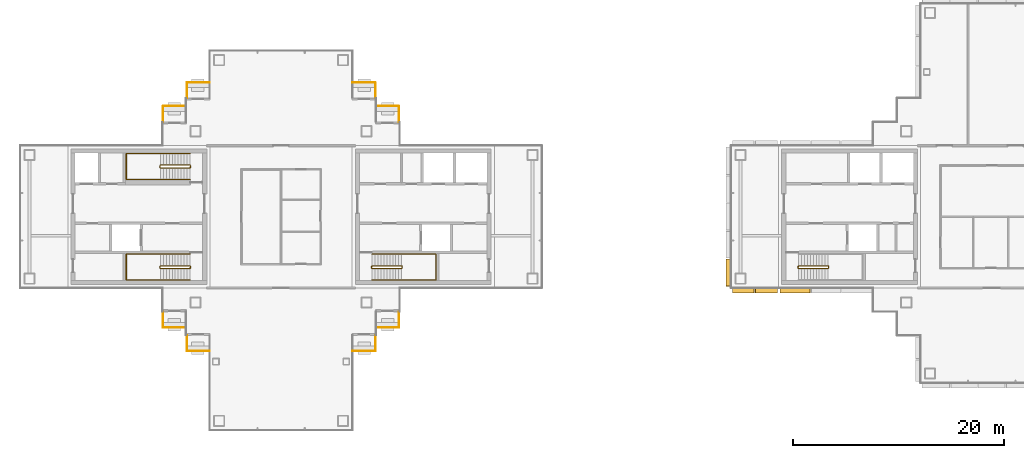
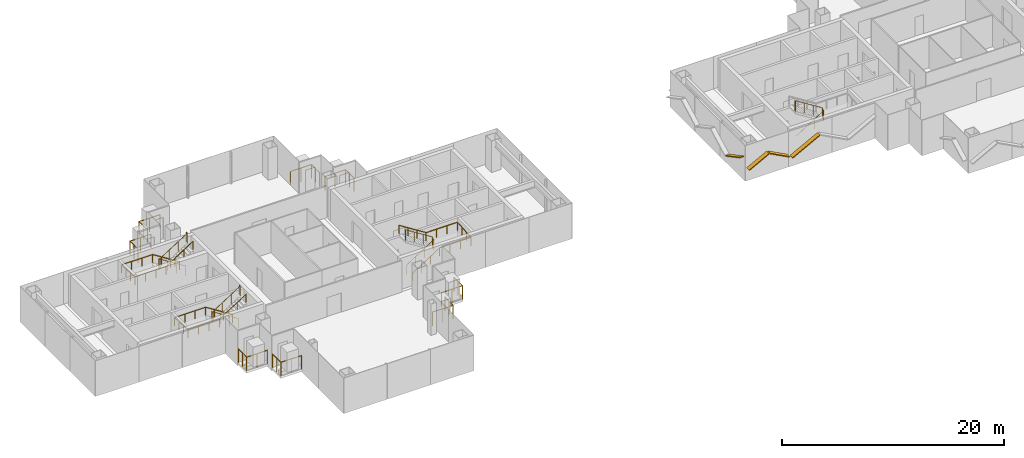
# One storey, part 14 of 17: 15 railings, 4 shading devices.
"""IFC4 building model written with IfcOpenShell, lengths in metres."""

import ifcopenshell
import ifcopenshell.guid

model = None  # the IFC model being written
_history = None  # IfcOwnerHistory: only IFC2X3 demands one
_inside = {}  # id of a spatial element -> (the spatial element, [elements in it])
_under = {}  # id of a project, library or spatial element -> (it, [spatial elements below it])
_declared = {}  # id of a project -> (the project, [libraries it declares])
_typed = {}  # id of a type object -> (the type object, [elements of that type])
_made_of = {}  # id of a material, layer set ... -> (it, [elements and type objects made of it])


def new_model(schema):
    """Start an empty IFC model of exactly this schema.

    Asked for "IFC4X3", IfcOpenShell would pick the latest addendum, in which some entities
    have other attributes; the version numbers below select the first issue.
    IFC2X3 requires an IfcOwnerHistory on every rooted entity: one is made here for all.
    """
    global model, _history
    if schema == "IFC4X3":
        model = ifcopenshell.file(schema_version=(4, 3, 0, 0))
    else:
        model = ifcopenshell.file(schema=schema)
    _inside.clear()
    _under.clear()
    _declared.clear()
    _typed.clear()
    _made_of.clear()
    _history = None
    if model.schema == "IFC2X3":
        org = make("IfcOrganization", Name="unknown")
        user = make(
            "IfcPersonAndOrganization",
            ThePerson=make("IfcPerson", FamilyName="unknown"),
            TheOrganization=org,
        )
        app = make(
            "IfcApplication",
            ApplicationDeveloper=org,
            Version="unknown",
            ApplicationFullName="unknown",
            ApplicationIdentifier="unknown",
        )
        _history = make(
            "IfcOwnerHistory",
            OwningUser=user,
            OwningApplication=app,
            ChangeAction="ADDED",
            CreationDate=0,
        )
    return model


def make(cls, **values):
    """One entity of the class cls with the attributes given. An attribute that is None is left unset."""
    return model.create_entity(
        cls, **{name: value for name, value in values.items() if value is not None}
    )


def rooted(cls, **values):
    """An entity with a GlobalId (a new one), such as an element, a storey or a relation."""
    return make(cls, GlobalId=ifcopenshell.guid.new(), OwnerHistory=_history, **values)


def si_unit(unit_type, name, prefix=None):
    """IfcSIUnit, for example si_unit("LENGTHUNIT", "METRE", prefix="MILLI")."""
    return make("IfcSIUnit", UnitType=unit_type, Prefix=prefix, Name=name)


def assignment(units):
    """IfcUnitAssignment: the units of a project."""
    return None if units is None else make("IfcUnitAssignment", Units=units)


def point(xyz):
    """IfcCartesianPoint."""
    return None if xyz is None else make("IfcCartesianPoint", Coordinates=xyz)


def direction(xyz):
    """IfcDirection."""
    return None if xyz is None else make("IfcDirection", DirectionRatios=xyz)


def frame(location, z_axis=None, x_axis=None):
    """IfcAxis2Placement3D, a coordinate frame: its origin and axes. An axis left out is left unset."""
    return make(
        "IfcAxis2Placement3D",
        Location=point(location),
        Axis=direction(z_axis),
        RefDirection=direction(x_axis),
    )


def frame_2d(location, x_axis=None):
    """IfcAxis2Placement2D, a coordinate frame in the plane: its origin and x axis."""
    return make(
        "IfcAxis2Placement2D", Location=point(location), RefDirection=direction(x_axis)
    )


def origin():
    """The frame at (0, 0, 0) with its axes left unset."""
    return frame((0.0, 0.0, 0.0))


def origin_2d():
    """The frame at (0, 0) in the plane with its x axis left unset."""
    return frame_2d((0.0, 0.0))


def place(relative_to, where):
    """IfcLocalPlacement: puts the frame where relative to a parent placement (None: the world)."""
    return make(
        "IfcLocalPlacement", PlacementRelTo=relative_to, RelativePlacement=where
    )


def context(
    kind, dimensions, precision=None, world=None, true_north=None, identifier=None
):
    """IfcGeometricRepresentationContext, for example the 3D "Model" context."""
    return make(
        "IfcGeometricRepresentationContext",
        ContextIdentifier=identifier,
        ContextType=kind,
        CoordinateSpaceDimension=dimensions,
        Precision=precision,
        WorldCoordinateSystem=world,
        TrueNorth=true_north,
    )


def subcontext(parent, identifier, kind, view, scale=None):
    """IfcGeometricRepresentationSubContext, for example "Body" below "Model"."""
    return make(
        "IfcGeometricRepresentationSubContext",
        ContextIdentifier=identifier,
        ContextType=kind,
        ParentContext=parent,
        TargetScale=scale,
        TargetView=view,
    )


def project(units=None, contexts=None):
    """IfcProject with its units and contexts."""
    return rooted(
        "IfcProject",
        Name="project",
        RepresentationContexts=contexts,
        UnitsInContext=assignment(units),
    )


def spatial(cls, under=None, at=None, **own):
    """A site, building, storey or space (cls), placed at a placement, below another one or the project."""
    s = rooted(cls, ObjectPlacement=at, **own)
    if under is not None:
        _under.setdefault(under.id(), (under, []))[1].append(s)
    return s


def profile(cls, at=None, kind="AREA", **sizes):
    """A parametric profile (cls). Its sizes go by their IFC names, for example OverallWidth=200.0."""
    return make(cls, ProfileType=kind, Position=at, **sizes)


def rectangle(**sizes):
    """IfcRectangleProfileDef."""
    return profile("IfcRectangleProfileDef", **sizes)


def circle(**sizes):
    """IfcCircleProfileDef."""
    return profile("IfcCircleProfileDef", **sizes)


def extrude(swept, where, along, depth):
    """IfcExtrudedAreaSolid: the profile swept, set in the frame where, extruded along a direction by depth."""
    return make(
        "IfcExtrudedAreaSolid",
        SweptArea=swept,
        Position=where,
        ExtrudedDirection=direction(along),
        Depth=depth,
    )


def shape(context_of_items, identifier, shape_type, items):
    """IfcShapeRepresentation: the items that make up one representation, for example the "Body"."""
    return make(
        "IfcShapeRepresentation",
        ContextOfItems=context_of_items,
        RepresentationIdentifier=identifier,
        RepresentationType=shape_type,
        Items=items,
    )


def material(Name=None, Category=None):
    """IfcMaterial."""
    return make("IfcMaterial", Name=Name, Category=Category)


def material_profile(
    of_material, cross_section, Name=None, Category=None, Priority=None
):
    """IfcMaterialProfile: a cross section and its material."""
    return make(
        "IfcMaterialProfile",
        Name=Name,
        Material=of_material,
        Profile=cross_section,
        Priority=Priority,
        Category=Category,
    )


def profile_set(profiles, Name=None, composite=None):
    """IfcMaterialProfileSet."""
    return make(
        "IfcMaterialProfileSet",
        Name=Name,
        MaterialProfiles=profiles,
        CompositeProfile=composite,
    )


def made_of(thing, what):
    """Note that an element or type object is made of a material, layer set ...; save() writes the relation."""
    if what is not None:
        _made_of.setdefault(what.id(), (what, []))[1].append(thing)
    return thing


def type_object(cls, material=None, **own):
    """A type object (cls), such as IfcWallType, which elements share."""
    return made_of(rooted(cls, **own), material)


def element(
    cls,
    number,
    at=None,
    inside=None,
    cuts=None,
    type_object=None,
    material=None,
    context=None,
    identifier="Body",
    shape_type=None,
    held_by="IfcProductDefinitionShape",
    body=None,
    shapes=None,
    **own,
):
    """One element of the class cls, such as IfcWall. Its Tag is "e" and its number.

    at: its placement. inside: the storey or other place that contains it. cuts: it is an
    opening in that element (IfcRelVoidsElement). A single representation is given by context,
    identifier, shape_type and body (its items); several are given by shapes. held_by: the class
    of the entity that holds the representations. save() writes the other relations.
    """
    e = rooted(cls, Tag="e%d" % number, ObjectPlacement=at, **own)
    if body is not None:
        shapes = [shape(context, identifier, shape_type, body)]
    if shapes is not None:
        e.Representation = make(held_by, Representations=shapes)
    if inside is not None:
        _inside.setdefault(inside.id(), (inside, []))[1].append(e)
    if cuts is not None:
        rooted(
            "IfcRelVoidsElement", RelatingBuildingElement=cuts, RelatedOpeningElement=e
        )
    if type_object is not None:
        _typed.setdefault(type_object.id(), (type_object, []))[1].append(e)
    return made_of(e, material)


def aggregate(whole, parts):
    """IfcRelAggregates: a whole, such as a stair, and the parts it consists of."""
    return rooted("IfcRelAggregates", RelatingObject=whole, RelatedObjects=parts)


def save(model, path):
    """Write the relations noted so far, then the file.

    IfcRelAggregates (storeys below a building ...), IfcRelContainedInSpatialStructure (elements
    in a storey), IfcRelDefinesByType, IfcRelAssociatesMaterial and IfcRelDeclares: one each for
    every whole, place, type object, material and project.
    """
    for whole, parts in _under.values():
        aggregate(whole, parts)
    for where, things in _inside.values():
        rooted(
            "IfcRelContainedInSpatialStructure",
            RelatedElements=things,
            RelatingStructure=where,
        )
    for kind, things in _typed.values():
        rooted("IfcRelDefinesByType", RelatedObjects=things, RelatingType=kind)
    for what, things in _made_of.values():
        rooted("IfcRelAssociatesMaterial", RelatedObjects=things, RelatingMaterial=what)
    for by, libraries in _declared.values():
        rooted("IfcRelDeclares", RelatingContext=by, RelatedDefinitions=libraries)
    model.write(path)


model = new_model("IFC4")

# Units and contexts
model_context = context("Model", 3, precision=1e-05, world=origin(), true_north=direction((0.0, 1.0)))
body_context = subcontext(model_context, "Body", "Model", "MODEL_VIEW")
ifc_project = project(units=[si_unit("LENGTHUNIT", "METRE"), si_unit("AREAUNIT", "SQUARE_METRE"), si_unit("VOLUMEUNIT", "CUBIC_METRE"), si_unit("PLANEANGLEUNIT", "RADIAN"), si_unit("MASSUNIT", "GRAM", prefix="KILO")], contexts=[model_context])

# Site, building, storey
site_placement = place(None, origin())
site = spatial("IfcSite", under=ifc_project, at=site_placement, CompositionType="ELEMENT")
building_placement = place(site_placement, origin())
building = spatial("IfcBuilding", under=site, at=building_placement, Name="Shamsa Quay Exchange Towers", CompositionType="ELEMENT")
storey_placement = place(building_placement, frame((0.0, 0.0, 221.699951171875)))
storey = spatial("IfcBuildingStorey", under=building, at=storey_placement, Name="L53", CompositionType="ELEMENT", Elevation=221.699951171875)

# Railings
ifc_material_1 = material(Name="Steel S355, black powder-coated", Category="steel")
railing_type_1 = type_object("IfcRailingType", Name="BALCONY GUARD 1500", PredefinedType="GUARDRAIL", material=ifc_material_1)
for number, where, name in (
    (1, (-22.550048828125, 9.02099609375, 0.0), "Balcony guard T1-PKEN L53"),
    (2, (-24.800048828125, 11.27099609375, 0.0), "Balcony guard T1-PKEN L53"),
):
    element("IfcRailing", number, at=place(storey_placement, frame(where)), inside=storey, type_object=railing_type_1, Name=name, PredefinedType="GUARDRAIL", context=body_context, shape_type="SweptSolid", body=[
        extrude(circle(Radius=0.02392578125, at=origin_2d()), frame((0.0, 0.0, 1.47607421875), z_axis=(0.0, 1.0, 0.0), x_axis=(-1.0, 0.0, 0.0)), (0.0, 0.0, 1.0), 1.47900390625),
        extrude(circle(Radius=0.02392578125, at=origin_2d()), frame((0.0, 1.47900390625, 1.47607421875), z_axis=(-1.0, 0.0, 0.0), x_axis=(0.0, -1.0, 0.0)), (0.0, 0.0, 1.0), 2.161865234375),
        extrude(circle(Radius=0.02099609375, at=origin_2d()), origin(), (0.0, 0.0, 1.0), 1.451904296875),
        extrude(circle(Radius=0.02099609375, at=origin_2d()), frame((0.0, 0.739501953125, 0.0)), (0.0, 0.0, 1.0), 1.451904296875),
        extrude(circle(Radius=0.02099609375, at=origin_2d()), frame((0.0, 1.47900390625, 0.0)), (0.0, 0.0, 1.0), 1.451904296875),
        extrude(circle(Radius=0.02099609375, at=origin_2d()), frame((-1.0810546875, 1.47900390625, 0.0)), (0.0, 0.0, 1.0), 1.451904296875),
        extrude(circle(Radius=0.02099609375, at=origin_2d()), frame((-2.161865234375, 1.47900390625, 0.0)), (0.0, 0.0, 1.0), 1.451904296875),
    ])
for number, where, name in (
    (3, (-24.7119140625, -10.5, 0.0), "Balcony guard T1-PKES L53"),
    (4, (-26.9619140625, -12.75, 0.0), "Balcony guard T1-PKES L53"),
):
    element("IfcRailing", number, at=place(storey_placement, frame(where)), inside=storey, type_object=railing_type_1, Name=name, PredefinedType="GUARDRAIL", context=body_context, shape_type="SweptSolid", body=[
        extrude(circle(Radius=0.02392578125, at=origin_2d()), frame((0.0, 0.0, 1.47607421875), z_axis=(1.0, 0.0, 0.0), x_axis=(0.0, 1.0, 0.0)), (0.0, 0.0, 1.0), 2.161865234375),
        extrude(circle(Radius=0.02392578125, at=origin_2d()), frame((2.161865234375, 0.0, 1.47607421875), z_axis=(0.0, 1.0, 0.0), x_axis=(-1.0, 0.0, 0.0)), (0.0, 0.0, 1.0), 1.47900390625),
        extrude(circle(Radius=0.02099609375, at=origin_2d()), origin(), (0.0, 0.0, 1.0), 1.451904296875),
        extrude(circle(Radius=0.02099609375, at=origin_2d()), frame((1.0810546875, 0.0, 0.0)), (0.0, 0.0, 1.0), 1.451904296875),
        extrude(circle(Radius=0.02099609375, at=origin_2d()), frame((2.161865234375, 0.0, 0.0)), (0.0, 0.0, 1.0), 1.451904296875),
        extrude(circle(Radius=0.02099609375, at=origin_2d()), frame((2.161865234375, 0.739501953125, 0.0)), (0.0, 0.0, 1.0), 1.451904296875),
        extrude(circle(Radius=0.02099609375, at=origin_2d()), frame((2.161865234375, 1.47900390625, 0.0)), (0.0, 0.0, 1.0), 1.451904296875),
    ])
for number, where, name in (
    (5, (-40.5380859375, 12.75, 0.0), "Balcony guard T1-PKWN L53"),
    (6, (-42.7880859375, 10.5, 0.0), "Balcony guard T1-PKWN L53"),
):
    element("IfcRailing", number, at=place(storey_placement, frame(where)), inside=storey, type_object=railing_type_1, Name=name, PredefinedType="GUARDRAIL", context=body_context, shape_type="SweptSolid", body=[
        extrude(circle(Radius=0.02392578125, at=origin_2d()), frame((0.0, 0.0, 1.47607421875), z_axis=(-1.0, 0.0, 0.0), x_axis=(0.0, -1.0, 0.0)), (0.0, 0.0, 1.0), 2.161865234375),
        extrude(circle(Radius=0.02392578125, at=origin_2d()), frame((-2.161865234375, 0.0, 1.47607421875), z_axis=(0.0, -1.0, 0.0), x_axis=(1.0, 0.0, 0.0)), (0.0, 0.0, 1.0), 1.47900390625),
        extrude(circle(Radius=0.02099609375, at=origin_2d()), origin(), (0.0, 0.0, 1.0), 1.451904296875),
        extrude(circle(Radius=0.02099609375, at=origin_2d()), frame((-1.0810546875, 0.0, 0.0)), (0.0, 0.0, 1.0), 1.451904296875),
        extrude(circle(Radius=0.02099609375, at=origin_2d()), frame((-2.161865234375, 0.0, 0.0)), (0.0, 0.0, 1.0), 1.451904296875),
        extrude(circle(Radius=0.02099609375, at=origin_2d()), frame((-2.161865234375, -0.739501953125, 0.0)), (0.0, 0.0, 1.0), 1.451904296875),
        extrude(circle(Radius=0.02099609375, at=origin_2d()), frame((-2.161865234375, -1.47900390625, 0.0)), (0.0, 0.0, 1.0), 1.451904296875),
    ])
for number, where, name in (
    (7, (-44.949951171875, -9.02099609375, 0.0), "Balcony guard T1-PKWS L53"),
    (8, (-42.699951171875, -11.27099609375, 0.0), "Balcony guard T1-PKWS L53"),
):
    element("IfcRailing", number, at=place(storey_placement, frame(where)), inside=storey, type_object=railing_type_1, Name=name, PredefinedType="GUARDRAIL", context=body_context, shape_type="SweptSolid", body=[
        extrude(circle(Radius=0.02392578125, at=origin_2d()), frame((0.0, 0.0, 1.47607421875), z_axis=(0.0, -1.0, 0.0), x_axis=(1.0, 0.0, 0.0)), (0.0, 0.0, 1.0), 1.47900390625),
        extrude(circle(Radius=0.02392578125, at=origin_2d()), frame((0.0, -1.47900390625, 1.47607421875), z_axis=(1.0, 0.0, 0.0), x_axis=(0.0, 1.0, 0.0)), (0.0, 0.0, 1.0), 2.161865234375),
        extrude(circle(Radius=0.02099609375, at=origin_2d()), origin(), (0.0, 0.0, 1.0), 1.451904296875),
        extrude(circle(Radius=0.02099609375, at=origin_2d()), frame((0.0, -0.739501953125, 0.0)), (0.0, 0.0, 1.0), 1.451904296875),
        extrude(circle(Radius=0.02099609375, at=origin_2d()), frame((0.0, -1.47900390625, 0.0)), (0.0, 0.0, 1.0), 1.451904296875),
        extrude(circle(Radius=0.02099609375, at=origin_2d()), frame((1.0810546875, -1.47900390625, 0.0)), (0.0, 0.0, 1.0), 1.451904296875),
        extrude(circle(Radius=0.02099609375, at=origin_2d()), frame((2.161865234375, -1.47900390625, 0.0)), (0.0, 0.0, 1.0), 1.451904296875),
    ])

# Shading devices
ifc_material_2 = material(Name="Aluminium EN AW-6063 T6, black anodised", Category="aluminium")
ifc_material_profile = material_profile(ifc_material_2, rectangle(XDim=0.449951171875, YDim=0.10009765625, at=origin_2d()), Name="FIN450x100")
ifc_profile_set = profile_set([ifc_material_profile], Name="Aluminium EN AW-6063 T6, black anodised")
shading_device_type = type_object("IfcShadingDeviceType", Name="FIN 450x100 BLACK ALUMINIUM", PredefinedType="USERDEFINED", material=ifc_profile_set)
shading_device_1_placement = place(storey_placement, frame((8.735107421875, -4.010009765625, 0.911376953125), z_axis=(0.0, -0.882944327895, 0.469477703238), x_axis=(1.0, 0.0, 0.0)))
element("IfcShadingDevice", 9, at=shading_device_1_placement, inside=storey, type_object=shading_device_type, Name="FIN T2 chevron rib", ObjectType="FIN", PredefinedType="USERDEFINED", context=body_context, shape_type="SweptSolid", body=[
    extrude(rectangle(XDim=0.449951171875, YDim=0.10009765625, at=origin_2d()), origin(), (0.0, 0.0, 1.0), 2.933349609375),
])
for number, where, z_axis, x_axis, name in (
    (10, (9.14990234375, -7.014892578125, 1.054931640625), (0.882937310539, 0.0, 0.469490900507), (0.0, 1.0, 0.0), "FIN T2 chevron rib"),
    (11, (11.300048828125, -7.014892578125, 2.14501953125), (0.882937310539, 0.0, -0.469490900507), (0.0, 1.0, 0.0), "FIN T2 chevron rib"),
):
    element("IfcShadingDevice", number, at=place(storey_placement, frame(where, z_axis=z_axis, x_axis=x_axis)), inside=storey, type_object=shading_device_type, Name=name, ObjectType="FIN", PredefinedType="USERDEFINED", context=body_context, shape_type="SweptSolid", body=[
        extrude(rectangle(XDim=0.449951171875, YDim=0.10009765625, at=origin_2d()), origin(), (0.0, 0.0, 1.0), 2.32177734375),
    ])
shading_device_2_placement = place(storey_placement, frame((13.64990234375, -7.01904296875, 0.84228515625), z_axis=(0.882953107739, 0.0, 0.469461190658), x_axis=(0.0, 1.0, 0.0)))
element("IfcShadingDevice", 12, at=shading_device_2_placement, inside=storey, type_object=shading_device_type, Name="FIN T2 chevron rib", ObjectType="FIN", PredefinedType="USERDEFINED", context=body_context, shape_type="SweptSolid", body=[
    extrude(rectangle(XDim=0.449951171875, YDim=0.10009765625, at=origin_2d()), origin(), (0.0, 0.0, 1.0), 3.22802734375),
])

# Railings
ifc_material_3 = material(Name="Stainless steel", Category="steel")
railing_type_2 = type_object("IfcRailingType", Name="STAIR GUARD 1100", PredefinedType="GUARDRAIL", material=ifc_material_3)
railing_1_placement = place(storey_placement, frame((-25.10009765625, -4.89990234375, 0.17724609375)))
element("IfcRailing", 13, at=railing_1_placement, inside=storey, type_object=railing_type_2, Name="L53 ST1 stair guard 1", PredefinedType="GUARDRAIL", context=body_context, shape_type="SweptSolid", body=[
    extrude(circle(Radius=0.02392578125, at=origin_2d()), frame((0.0, 0.0, 1.076171875), z_axis=(0.844908973607, 0.0, 0.534910110503), x_axis=(0.0, 1.0, 0.0)), (0.0, 0.0, 1.0), 3.31396484375),
    extrude(circle(Radius=0.02392578125, at=origin_2d()), frame((2.800048828125, 0.0, 2.8486328125), z_axis=(0.708833529934, 0.705375805398, 0.0), x_axis=(-0.705375805398, 0.708833529934, 0.0)), (0.0, 0.0, 1.0), 0.070556640625),
    extrude(circle(Radius=0.02392578125, at=origin_2d()), frame((2.85009765625, 0.0498046875, 2.8486328125), z_axis=(0.0, 1.0, 0.0), x_axis=(-1.0, 0.0, 0.0)), (0.0, 0.0, 1.0), 0.150146484375),
    extrude(circle(Radius=0.02392578125, at=origin_2d()), frame((2.85009765625, 0.199951171875, 2.8486328125), z_axis=(-0.261922500866, 0.261922500866, 0.928866625022), x_axis=(-0.707106781187, -0.707106781187, 0.0)), (0.0, 0.0, 1.0), 0.191162109375),
    extrude(circle(Radius=0.02392578125, at=origin_2d()), frame((2.800048828125, 0.25, 3.0263671875), z_axis=(-0.844908973607, 0.0, 0.534910110503), x_axis=(0.0, -1.0, 0.0)), (0.0, 0.0, 1.0), 3.31396484375),
    extrude(circle(Radius=0.02392578125, at=origin_2d()), frame((0.0, 0.25, 4.798828125), z_axis=(-0.24142163986, -0.970420317083, 0.0), x_axis=(0.970420317083, -0.24142163986, 0.0)), (0.0, 0.0, 1.0), 0.206298828125),
    extrude(circle(Radius=0.02392578125, at=origin_2d()), frame((-0.0498046875, 0.0498046875, 4.798828125), z_axis=(0.0, 1.0, 0.0), x_axis=(-1.0, 0.0, 0.0)), (0.0, 0.0, 1.0), 0.150146484375),
    extrude(circle(Radius=0.02099609375, at=origin_2d()), origin(), (0.0, 0.0, 1.0), 1.052001953125),
    extrude(circle(Radius=0.02099609375, at=origin_2d()), frame((0.933349609375, 0.0, 0.5908203125)), (0.0, 0.0, 1.0), 1.052001953125),
    extrude(circle(Radius=0.02099609375, at=origin_2d()), frame((1.86669921875, 0.0, 1.181884765625)), (0.0, 0.0, 1.0), 1.052001953125),
    extrude(circle(Radius=0.02099609375, at=origin_2d()), frame((2.800048828125, 0.0, 1.772705078125)), (0.0, 0.0, 1.0), 1.052001953125),
    extrude(circle(Radius=0.02099609375, at=origin_2d()), frame((2.85009765625, 0.0498046875, 1.772705078125)), (0.0, 0.0, 1.0), 1.052001953125),
    extrude(circle(Radius=0.02099609375, at=origin_2d()), frame((2.85009765625, 0.199951171875, 1.772705078125)), (0.0, 0.0, 1.0), 1.052001953125),
    extrude(circle(Radius=0.02099609375, at=origin_2d()), frame((2.800048828125, 0.25, 1.9501953125)), (0.0, 0.0, 1.0), 1.052001953125),
    extrude(circle(Radius=0.02099609375, at=origin_2d()), frame((1.86669921875, 0.25, 2.541015625)), (0.0, 0.0, 1.0), 1.052001953125),
    extrude(circle(Radius=0.02099609375, at=origin_2d()), frame((0.933349609375, 0.25, 3.132080078125)), (0.0, 0.0, 1.0), 1.052001953125),
    extrude(circle(Radius=0.02099609375, at=origin_2d()), frame((0.0, 0.25, 3.722900390625)), (0.0, 0.0, 1.0), 1.052001953125),
    extrude(circle(Radius=0.02099609375, at=origin_2d()), frame((-0.0498046875, 0.0498046875, 3.722900390625)), (0.0, 0.0, 1.0), 1.052001953125),
    extrude(circle(Radius=0.02099609375, at=origin_2d()), frame((-0.0498046875, 0.199951171875, 3.722900390625)), (0.0, 0.0, 1.0), 1.052001953125),
])
railing_2_placement = place(storey_placement, frame((-42.39990234375, -4.64990234375, 0.17724609375)))
element("IfcRailing", 14, at=railing_2_placement, inside=storey, type_object=railing_type_2, Name="L53 ST2 stair guard 1", PredefinedType="GUARDRAIL", context=body_context, shape_type="SweptSolid", body=[
    extrude(circle(Radius=0.02392578125, at=origin_2d()), frame((0.0, 0.0, 1.076171875), z_axis=(-0.844908973607, 0.0, 0.534910110503), x_axis=(0.0, -1.0, 0.0)), (0.0, 0.0, 1.0), 3.31396484375),
    extrude(circle(Radius=0.02392578125, at=origin_2d()), frame((-2.800048828125, 0.0, 2.8486328125), z_axis=(-0.707106781187, -0.707106781187, 0.0), x_axis=(0.707106781187, -0.707106781187, 0.0)), (0.0, 0.0, 1.0), 0.07080078125),
    extrude(circle(Radius=0.02392578125, at=origin_2d()), frame((-2.85009765625, -0.050048828125, 2.8486328125), z_axis=(0.0, -1.0, 0.0), x_axis=(1.0, 0.0, 0.0)), (0.0, 0.0, 1.0), 0.150146484375),
    extrude(circle(Radius=0.02392578125, at=origin_2d()), frame((-2.85009765625, -0.2001953125, 2.8486328125), z_axis=(0.262009983441, -0.260731885961, 0.929176868105), x_axis=(0.705375805398, 0.708833529934, 0.0)), (0.0, 0.0, 1.0), 0.19091796875),
    extrude(circle(Radius=0.02392578125, at=origin_2d()), frame((-2.800048828125, -0.25, 3.0263671875), z_axis=(0.844908973607, 0.0, 0.534910110503), x_axis=(0.0, 1.0, 0.0)), (0.0, 0.0, 1.0), 3.31396484375),
    extrude(circle(Radius=0.02392578125, at=origin_2d()), frame((0.0, -0.25, 4.798828125), z_axis=(0.241699205484, 0.970351222016, 0.0), x_axis=(-0.970351222016, 0.241699205484, 0.0)), (0.0, 0.0, 1.0), 0.2060546875),
    extrude(circle(Radius=0.02392578125, at=origin_2d()), frame((0.0498046875, -0.050048828125, 4.798828125), z_axis=(0.0, -1.0, 0.0), x_axis=(1.0, 0.0, 0.0)), (0.0, 0.0, 1.0), 0.150146484375),
    extrude(circle(Radius=0.02099609375, at=origin_2d()), origin(), (0.0, 0.0, 1.0), 1.052001953125),
    extrude(circle(Radius=0.02099609375, at=origin_2d()), frame((-0.933349609375, 0.0, 0.5908203125)), (0.0, 0.0, 1.0), 1.052001953125),
    extrude(circle(Radius=0.02099609375, at=origin_2d()), frame((-1.86669921875, 0.0, 1.181884765625)), (0.0, 0.0, 1.0), 1.052001953125),
    extrude(circle(Radius=0.02099609375, at=origin_2d()), frame((-2.800048828125, 0.0, 1.772705078125)), (0.0, 0.0, 1.0), 1.052001953125),
    extrude(circle(Radius=0.02099609375, at=origin_2d()), frame((-2.85009765625, -0.050048828125, 1.772705078125)), (0.0, 0.0, 1.0), 1.052001953125),
    extrude(circle(Radius=0.02099609375, at=origin_2d()), frame((-2.85009765625, -0.2001953125, 1.772705078125)), (0.0, 0.0, 1.0), 1.052001953125),
    extrude(circle(Radius=0.02099609375, at=origin_2d()), frame((-2.800048828125, -0.25, 1.9501953125)), (0.0, 0.0, 1.0), 1.052001953125),
    extrude(circle(Radius=0.02099609375, at=origin_2d()), frame((-1.86669921875, -0.25, 2.541015625)), (0.0, 0.0, 1.0), 1.052001953125),
    extrude(circle(Radius=0.02099609375, at=origin_2d()), frame((-0.933349609375, -0.25, 3.132080078125)), (0.0, 0.0, 1.0), 1.052001953125),
    extrude(circle(Radius=0.02099609375, at=origin_2d()), frame((0.0, -0.25, 3.722900390625)), (0.0, 0.0, 1.0), 1.052001953125),
    extrude(circle(Radius=0.02099609375, at=origin_2d()), frame((0.0498046875, -0.050048828125, 3.722900390625)), (0.0, 0.0, 1.0), 1.052001953125),
    extrude(circle(Radius=0.02099609375, at=origin_2d()), frame((0.0498046875, -0.2001953125, 3.722900390625)), (0.0, 0.0, 1.0), 1.052001953125),
])
railing_3_placement = place(storey_placement, frame((-42.39990234375, 4.89990234375, 0.17724609375)))
element("IfcRailing", 15, at=railing_3_placement, inside=storey, type_object=railing_type_2, Name="L53 ST3 stair guard 1", PredefinedType="GUARDRAIL", context=body_context, shape_type="SweptSolid", body=[
    extrude(circle(Radius=0.02392578125, at=origin_2d()), frame((0.0, 0.0, 1.076171875), z_axis=(-0.844908973607, 0.0, 0.534910110503), x_axis=(0.0, -1.0, 0.0)), (0.0, 0.0, 1.0), 3.31396484375),
    extrude(circle(Radius=0.02392578125, at=origin_2d()), frame((-2.800048828125, 0.0, 2.8486328125), z_axis=(-0.708833529934, -0.705375805398, 0.0), x_axis=(0.705375805398, -0.708833529934, 0.0)), (0.0, 0.0, 1.0), 0.070556640625),
    extrude(circle(Radius=0.02392578125, at=origin_2d()), frame((-2.85009765625, -0.0498046875, 2.8486328125), z_axis=(0.0, -1.0, 0.0), x_axis=(1.0, 0.0, 0.0)), (0.0, 0.0, 1.0), 0.150146484375),
    extrude(circle(Radius=0.02392578125, at=origin_2d()), frame((-2.85009765625, -0.199951171875, 2.8486328125), z_axis=(0.261922500866, -0.261922500866, 0.928866625022), x_axis=(0.707106781187, 0.707106781187, 0.0)), (0.0, 0.0, 1.0), 0.191162109375),
    extrude(circle(Radius=0.02392578125, at=origin_2d()), frame((-2.800048828125, -0.25, 3.0263671875), z_axis=(0.844908973607, 0.0, 0.534910110503), x_axis=(0.0, 1.0, 0.0)), (0.0, 0.0, 1.0), 3.31396484375),
    extrude(circle(Radius=0.02392578125, at=origin_2d()), frame((0.0, -0.25, 4.798828125), z_axis=(0.24142163986, 0.970420317083, 0.0), x_axis=(-0.970420317083, 0.24142163986, 0.0)), (0.0, 0.0, 1.0), 0.206298828125),
    extrude(circle(Radius=0.02392578125, at=origin_2d()), frame((0.0498046875, -0.0498046875, 4.798828125), z_axis=(0.0, -1.0, 0.0), x_axis=(1.0, 0.0, 0.0)), (0.0, 0.0, 1.0), 0.150146484375),
    extrude(circle(Radius=0.02099609375, at=origin_2d()), origin(), (0.0, 0.0, 1.0), 1.052001953125),
    extrude(circle(Radius=0.02099609375, at=origin_2d()), frame((-0.933349609375, 0.0, 0.5908203125)), (0.0, 0.0, 1.0), 1.052001953125),
    extrude(circle(Radius=0.02099609375, at=origin_2d()), frame((-1.86669921875, 0.0, 1.181884765625)), (0.0, 0.0, 1.0), 1.052001953125),
    extrude(circle(Radius=0.02099609375, at=origin_2d()), frame((-2.800048828125, 0.0, 1.772705078125)), (0.0, 0.0, 1.0), 1.052001953125),
    extrude(circle(Radius=0.02099609375, at=origin_2d()), frame((-2.85009765625, -0.0498046875, 1.772705078125)), (0.0, 0.0, 1.0), 1.052001953125),
    extrude(circle(Radius=0.02099609375, at=origin_2d()), frame((-2.85009765625, -0.199951171875, 1.772705078125)), (0.0, 0.0, 1.0), 1.052001953125),
    extrude(circle(Radius=0.02099609375, at=origin_2d()), frame((-2.800048828125, -0.25, 1.9501953125)), (0.0, 0.0, 1.0), 1.052001953125),
    extrude(circle(Radius=0.02099609375, at=origin_2d()), frame((-1.86669921875, -0.25, 2.541015625)), (0.0, 0.0, 1.0), 1.052001953125),
    extrude(circle(Radius=0.02099609375, at=origin_2d()), frame((-0.933349609375, -0.25, 3.132080078125)), (0.0, 0.0, 1.0), 1.052001953125),
    extrude(circle(Radius=0.02099609375, at=origin_2d()), frame((0.0, -0.25, 3.722900390625)), (0.0, 0.0, 1.0), 1.052001953125),
    extrude(circle(Radius=0.02099609375, at=origin_2d()), frame((0.0498046875, -0.0498046875, 3.722900390625)), (0.0, 0.0, 1.0), 1.052001953125),
    extrude(circle(Radius=0.02099609375, at=origin_2d()), frame((0.0498046875, -0.199951171875, 3.722900390625)), (0.0, 0.0, 1.0), 1.052001953125),
])
railing_4_placement = place(storey_placement, frame((15.39990234375, -4.89990234375, 0.17724609375)))
element("IfcRailing", 16, at=railing_4_placement, inside=storey, type_object=railing_type_2, Name="L53 ST4 stair guard 1", PredefinedType="GUARDRAIL", context=body_context, shape_type="SweptSolid", body=[
    extrude(circle(Radius=0.02392578125, at=origin_2d()), frame((0.0, 0.0, 1.076171875), z_axis=(0.844908973607, 0.0, 0.534910110503), x_axis=(0.0, 1.0, 0.0)), (0.0, 0.0, 1.0), 3.31396484375),
    extrude(circle(Radius=0.02392578125, at=origin_2d()), frame((2.800048828125, 0.0, 2.8486328125), z_axis=(0.708833529934, 0.705375805398, 0.0), x_axis=(-0.705375805398, 0.708833529934, 0.0)), (0.0, 0.0, 1.0), 0.070556640625),
    extrude(circle(Radius=0.02392578125, at=origin_2d()), frame((2.85009765625, 0.0498046875, 2.8486328125), z_axis=(0.0, 1.0, 0.0), x_axis=(-1.0, 0.0, 0.0)), (0.0, 0.0, 1.0), 0.150146484375),
    extrude(circle(Radius=0.02392578125, at=origin_2d()), frame((2.85009765625, 0.199951171875, 2.8486328125), z_axis=(-0.261922500866, 0.261922500866, 0.928866625022), x_axis=(-0.707106781187, -0.707106781187, 0.0)), (0.0, 0.0, 1.0), 0.191162109375),
    extrude(circle(Radius=0.02392578125, at=origin_2d()), frame((2.800048828125, 0.25, 3.0263671875), z_axis=(-0.844908973607, 0.0, 0.534910110503), x_axis=(0.0, -1.0, 0.0)), (0.0, 0.0, 1.0), 3.31396484375),
    extrude(circle(Radius=0.02392578125, at=origin_2d()), frame((0.0, 0.25, 4.798828125), z_axis=(-0.24142163986, -0.970420317083, 0.0), x_axis=(0.970420317083, -0.24142163986, 0.0)), (0.0, 0.0, 1.0), 0.206298828125),
    extrude(circle(Radius=0.02392578125, at=origin_2d()), frame((-0.0498046875, 0.0498046875, 4.798828125), z_axis=(0.0, 1.0, 0.0), x_axis=(-1.0, 0.0, 0.0)), (0.0, 0.0, 1.0), 0.150146484375),
    extrude(circle(Radius=0.02099609375, at=origin_2d()), origin(), (0.0, 0.0, 1.0), 1.052001953125),
    extrude(circle(Radius=0.02099609375, at=origin_2d()), frame((0.933349609375, 0.0, 0.5908203125)), (0.0, 0.0, 1.0), 1.052001953125),
    extrude(circle(Radius=0.02099609375, at=origin_2d()), frame((1.86669921875, 0.0, 1.181884765625)), (0.0, 0.0, 1.0), 1.052001953125),
    extrude(circle(Radius=0.02099609375, at=origin_2d()), frame((2.800048828125, 0.0, 1.772705078125)), (0.0, 0.0, 1.0), 1.052001953125),
    extrude(circle(Radius=0.02099609375, at=origin_2d()), frame((2.85009765625, 0.0498046875, 1.772705078125)), (0.0, 0.0, 1.0), 1.052001953125),
    extrude(circle(Radius=0.02099609375, at=origin_2d()), frame((2.85009765625, 0.199951171875, 1.772705078125)), (0.0, 0.0, 1.0), 1.052001953125),
    extrude(circle(Radius=0.02099609375, at=origin_2d()), frame((2.800048828125, 0.25, 1.9501953125)), (0.0, 0.0, 1.0), 1.052001953125),
    extrude(circle(Radius=0.02099609375, at=origin_2d()), frame((1.86669921875, 0.25, 2.541015625)), (0.0, 0.0, 1.0), 1.052001953125),
    extrude(circle(Radius=0.02099609375, at=origin_2d()), frame((0.933349609375, 0.25, 3.132080078125)), (0.0, 0.0, 1.0), 1.052001953125),
    extrude(circle(Radius=0.02099609375, at=origin_2d()), frame((0.0, 0.25, 3.722900390625)), (0.0, 0.0, 1.0), 1.052001953125),
    extrude(circle(Radius=0.02099609375, at=origin_2d()), frame((-0.0498046875, 0.0498046875, 3.722900390625)), (0.0, 0.0, 1.0), 1.052001953125),
    extrude(circle(Radius=0.02099609375, at=origin_2d()), frame((-0.0498046875, 0.199951171875, 3.722900390625)), (0.0, 0.0, 1.0), 1.052001953125),
])
railing_type_3 = type_object("IfcRailingType", Name="STAIR HANDRAIL 900", PredefinedType="HANDRAIL", material=ifc_material_3)
railing_5_placement = place(storey_placement, frame((-25.10009765625, -6.0, 0.17724609375)))
element("IfcRailing", 17, at=railing_5_placement, inside=storey, type_object=railing_type_3, Name="L53 ST1 stair handrail 1", PredefinedType="HANDRAIL", context=body_context, shape_type="SweptSolid", body=[
    extrude(circle(Radius=0.02392578125, at=origin_2d()), frame((0.0, 0.0, 0.8759765625), z_axis=(0.844908973607, 0.0, 0.534910110503), x_axis=(0.0, 1.0, 0.0)), (0.0, 0.0, 1.0), 3.31396484375),
    extrude(circle(Radius=0.02392578125, at=origin_2d()), frame((2.800048828125, 0.0, 2.6484375), z_axis=(1.0, 0.0, 0.0), x_axis=(0.0, 1.0, 0.0)), (0.0, 0.0, 1.0), 3.25),
    extrude(circle(Radius=0.02392578125, at=origin_2d()), frame((6.050048828125, 0.0, 2.6484375), z_axis=(0.0, 0.997386041853, 0.072257065513), x_axis=(-1.0, 0.0, 0.0)), (0.0, 0.0, 1.0), 2.456298828125),
    extrude(circle(Radius=0.02392578125, at=origin_2d()), frame((6.050048828125, 2.449951171875, 2.826171875), z_axis=(-1.0, 0.0, 0.0), x_axis=(0.0, -1.0, 0.0)), (0.0, 0.0, 1.0), 3.25),
    extrude(circle(Radius=0.02392578125, at=origin_2d()), frame((2.800048828125, 2.449951171875, 2.826171875), z_axis=(-0.844908973607, 0.0, 0.534910110503), x_axis=(0.0, -1.0, 0.0)), (0.0, 0.0, 1.0), 3.31396484375),
    extrude(circle(Radius=0.02099609375, at=origin_2d()), origin(), (0.0, 0.0, 1.0), 0.851806640625),
    extrude(circle(Radius=0.02099609375, at=origin_2d()), frame((0.933349609375, 0.0, 0.5908203125)), (0.0, 0.0, 1.0), 0.851806640625),
    extrude(circle(Radius=0.02099609375, at=origin_2d()), frame((1.86669921875, 0.0, 1.181884765625)), (0.0, 0.0, 1.0), 0.851806640625),
    extrude(circle(Radius=0.02099609375, at=origin_2d()), frame((2.800048828125, 0.0, 1.772705078125)), (0.0, 0.0, 1.0), 0.851806640625),
    extrude(circle(Radius=0.02099609375, at=origin_2d()), frame((3.88330078125, 0.0, 1.772705078125)), (0.0, 0.0, 1.0), 0.851806640625),
    extrude(circle(Radius=0.02099609375, at=origin_2d()), frame((4.966796875, 0.0, 1.772705078125)), (0.0, 0.0, 1.0), 0.851806640625),
    extrude(circle(Radius=0.02099609375, at=origin_2d()), frame((6.050048828125, 0.0, 1.772705078125)), (0.0, 0.0, 1.0), 0.851806640625),
    extrude(circle(Radius=0.02099609375, at=origin_2d()), frame((6.050048828125, 0.816650390625, 1.831787109375)), (0.0, 0.0, 1.0), 0.851806640625),
    extrude(circle(Radius=0.02099609375, at=origin_2d()), frame((6.050048828125, 1.63330078125, 1.89111328125)), (0.0, 0.0, 1.0), 0.851806640625),
    extrude(circle(Radius=0.02099609375, at=origin_2d()), frame((6.050048828125, 2.449951171875, 1.9501953125)), (0.0, 0.0, 1.0), 0.851806640625),
    extrude(circle(Radius=0.02099609375, at=origin_2d()), frame((4.966796875, 2.449951171875, 1.9501953125)), (0.0, 0.0, 1.0), 0.851806640625),
    extrude(circle(Radius=0.02099609375, at=origin_2d()), frame((3.88330078125, 2.449951171875, 1.9501953125)), (0.0, 0.0, 1.0), 0.851806640625),
    extrude(circle(Radius=0.02099609375, at=origin_2d()), frame((2.800048828125, 2.449951171875, 1.9501953125)), (0.0, 0.0, 1.0), 0.851806640625),
    extrude(circle(Radius=0.02099609375, at=origin_2d()), frame((1.86669921875, 2.449951171875, 2.541015625)), (0.0, 0.0, 1.0), 0.851806640625),
    extrude(circle(Radius=0.02099609375, at=origin_2d()), frame((0.933349609375, 2.449951171875, 3.132080078125)), (0.0, 0.0, 1.0), 0.851806640625),
    extrude(circle(Radius=0.02099609375, at=origin_2d()), frame((0.0, 2.449951171875, 3.722900390625)), (0.0, 0.0, 1.0), 0.851806640625),
])
railing_6_placement = place(storey_placement, frame((-42.39990234375, -3.550048828125, 0.17724609375)))
element("IfcRailing", 18, at=railing_6_placement, inside=storey, type_object=railing_type_3, Name="L53 ST2 stair handrail 1", PredefinedType="HANDRAIL", context=body_context, shape_type="SweptSolid", body=[
    extrude(circle(Radius=0.02392578125, at=origin_2d()), frame((0.0, 0.0, 0.8759765625), z_axis=(-0.844908973607, 0.0, 0.534910110503), x_axis=(0.0, -1.0, 0.0)), (0.0, 0.0, 1.0), 3.31396484375),
    extrude(circle(Radius=0.02392578125, at=origin_2d()), frame((-2.800048828125, 0.0, 2.6484375), z_axis=(-1.0, 0.0, 0.0), x_axis=(0.0, -1.0, 0.0)), (0.0, 0.0, 1.0), 3.25),
    extrude(circle(Radius=0.02392578125, at=origin_2d()), frame((-6.050048828125, 0.0, 2.6484375), z_axis=(0.0, -0.997386041853, 0.072257065513), x_axis=(1.0, 0.0, 0.0)), (0.0, 0.0, 1.0), 2.456298828125),
    extrude(circle(Radius=0.02392578125, at=origin_2d()), frame((-6.050048828125, -2.449951171875, 2.826171875), z_axis=(1.0, 0.0, 0.0), x_axis=(0.0, 1.0, 0.0)), (0.0, 0.0, 1.0), 3.25),
    extrude(circle(Radius=0.02392578125, at=origin_2d()), frame((-2.800048828125, -2.449951171875, 2.826171875), z_axis=(0.844908973607, 0.0, 0.534910110503), x_axis=(0.0, 1.0, 0.0)), (0.0, 0.0, 1.0), 3.31396484375),
    extrude(circle(Radius=0.02099609375, at=origin_2d()), origin(), (0.0, 0.0, 1.0), 0.851806640625),
    extrude(circle(Radius=0.02099609375, at=origin_2d()), frame((-0.933349609375, 0.0, 0.5908203125)), (0.0, 0.0, 1.0), 0.851806640625),
    extrude(circle(Radius=0.02099609375, at=origin_2d()), frame((-1.86669921875, 0.0, 1.181884765625)), (0.0, 0.0, 1.0), 0.851806640625),
    extrude(circle(Radius=0.02099609375, at=origin_2d()), frame((-2.800048828125, 0.0, 1.772705078125)), (0.0, 0.0, 1.0), 0.851806640625),
    extrude(circle(Radius=0.02099609375, at=origin_2d()), frame((-3.88330078125, 0.0, 1.772705078125)), (0.0, 0.0, 1.0), 0.851806640625),
    extrude(circle(Radius=0.02099609375, at=origin_2d()), frame((-4.966796875, 0.0, 1.772705078125)), (0.0, 0.0, 1.0), 0.851806640625),
    extrude(circle(Radius=0.02099609375, at=origin_2d()), frame((-6.050048828125, 0.0, 1.772705078125)), (0.0, 0.0, 1.0), 0.851806640625),
    extrude(circle(Radius=0.02099609375, at=origin_2d()), frame((-6.050048828125, -0.816650390625, 1.831787109375)), (0.0, 0.0, 1.0), 0.851806640625),
    extrude(circle(Radius=0.02099609375, at=origin_2d()), frame((-6.050048828125, -1.63330078125, 1.89111328125)), (0.0, 0.0, 1.0), 0.851806640625),
    extrude(circle(Radius=0.02099609375, at=origin_2d()), frame((-6.050048828125, -2.449951171875, 1.9501953125)), (0.0, 0.0, 1.0), 0.851806640625),
    extrude(circle(Radius=0.02099609375, at=origin_2d()), frame((-4.966796875, -2.449951171875, 1.9501953125)), (0.0, 0.0, 1.0), 0.851806640625),
    extrude(circle(Radius=0.02099609375, at=origin_2d()), frame((-3.88330078125, -2.449951171875, 1.9501953125)), (0.0, 0.0, 1.0), 0.851806640625),
    extrude(circle(Radius=0.02099609375, at=origin_2d()), frame((-2.800048828125, -2.449951171875, 1.9501953125)), (0.0, 0.0, 1.0), 0.851806640625),
    extrude(circle(Radius=0.02099609375, at=origin_2d()), frame((-1.86669921875, -2.449951171875, 2.541015625)), (0.0, 0.0, 1.0), 0.851806640625),
    extrude(circle(Radius=0.02099609375, at=origin_2d()), frame((-0.933349609375, -2.449951171875, 3.132080078125)), (0.0, 0.0, 1.0), 0.851806640625),
    extrude(circle(Radius=0.02099609375, at=origin_2d()), frame((0.0, -2.449951171875, 3.722900390625)), (0.0, 0.0, 1.0), 0.851806640625),
])
railing_7_placement = place(storey_placement, frame((-42.39990234375, 6.0, 0.17724609375)))
element("IfcRailing", 19, at=railing_7_placement, inside=storey, type_object=railing_type_3, Name="L53 ST3 stair handrail 1", PredefinedType="HANDRAIL", context=body_context, shape_type="SweptSolid", body=[
    extrude(circle(Radius=0.02392578125, at=origin_2d()), frame((0.0, 0.0, 0.8759765625), z_axis=(-0.844908973607, 0.0, 0.534910110503), x_axis=(0.0, -1.0, 0.0)), (0.0, 0.0, 1.0), 3.31396484375),
    extrude(circle(Radius=0.02392578125, at=origin_2d()), frame((-2.800048828125, 0.0, 2.6484375), z_axis=(-1.0, 0.0, 0.0), x_axis=(0.0, -1.0, 0.0)), (0.0, 0.0, 1.0), 3.25),
    extrude(circle(Radius=0.02392578125, at=origin_2d()), frame((-6.050048828125, 0.0, 2.6484375), z_axis=(0.0, -0.997386041853, 0.072257065513), x_axis=(1.0, 0.0, 0.0)), (0.0, 0.0, 1.0), 2.456298828125),
    extrude(circle(Radius=0.02392578125, at=origin_2d()), frame((-6.050048828125, -2.449951171875, 2.826171875), z_axis=(1.0, 0.0, 0.0), x_axis=(0.0, 1.0, 0.0)), (0.0, 0.0, 1.0), 3.25),
    extrude(circle(Radius=0.02392578125, at=origin_2d()), frame((-2.800048828125, -2.449951171875, 2.826171875), z_axis=(0.844908973607, 0.0, 0.534910110503), x_axis=(0.0, 1.0, 0.0)), (0.0, 0.0, 1.0), 3.31396484375),
    extrude(circle(Radius=0.02099609375, at=origin_2d()), origin(), (0.0, 0.0, 1.0), 0.851806640625),
    extrude(circle(Radius=0.02099609375, at=origin_2d()), frame((-0.933349609375, 0.0, 0.5908203125)), (0.0, 0.0, 1.0), 0.851806640625),
    extrude(circle(Radius=0.02099609375, at=origin_2d()), frame((-1.86669921875, 0.0, 1.181884765625)), (0.0, 0.0, 1.0), 0.851806640625),
    extrude(circle(Radius=0.02099609375, at=origin_2d()), frame((-2.800048828125, 0.0, 1.772705078125)), (0.0, 0.0, 1.0), 0.851806640625),
    extrude(circle(Radius=0.02099609375, at=origin_2d()), frame((-3.88330078125, 0.0, 1.772705078125)), (0.0, 0.0, 1.0), 0.851806640625),
    extrude(circle(Radius=0.02099609375, at=origin_2d()), frame((-4.966796875, 0.0, 1.772705078125)), (0.0, 0.0, 1.0), 0.851806640625),
    extrude(circle(Radius=0.02099609375, at=origin_2d()), frame((-6.050048828125, 0.0, 1.772705078125)), (0.0, 0.0, 1.0), 0.851806640625),
    extrude(circle(Radius=0.02099609375, at=origin_2d()), frame((-6.050048828125, -0.816650390625, 1.831787109375)), (0.0, 0.0, 1.0), 0.851806640625),
    extrude(circle(Radius=0.02099609375, at=origin_2d()), frame((-6.050048828125, -1.63330078125, 1.89111328125)), (0.0, 0.0, 1.0), 0.851806640625),
    extrude(circle(Radius=0.02099609375, at=origin_2d()), frame((-6.050048828125, -2.449951171875, 1.9501953125)), (0.0, 0.0, 1.0), 0.851806640625),
    extrude(circle(Radius=0.02099609375, at=origin_2d()), frame((-4.966796875, -2.449951171875, 1.9501953125)), (0.0, 0.0, 1.0), 0.851806640625),
    extrude(circle(Radius=0.02099609375, at=origin_2d()), frame((-3.88330078125, -2.449951171875, 1.9501953125)), (0.0, 0.0, 1.0), 0.851806640625),
    extrude(circle(Radius=0.02099609375, at=origin_2d()), frame((-2.800048828125, -2.449951171875, 1.9501953125)), (0.0, 0.0, 1.0), 0.851806640625),
    extrude(circle(Radius=0.02099609375, at=origin_2d()), frame((-1.86669921875, -2.449951171875, 2.541015625)), (0.0, 0.0, 1.0), 0.851806640625),
    extrude(circle(Radius=0.02099609375, at=origin_2d()), frame((-0.933349609375, -2.449951171875, 3.132080078125)), (0.0, 0.0, 1.0), 0.851806640625),
    extrude(circle(Radius=0.02099609375, at=origin_2d()), frame((0.0, -2.449951171875, 3.722900390625)), (0.0, 0.0, 1.0), 0.851806640625),
])

save(model, "model.ifc")
